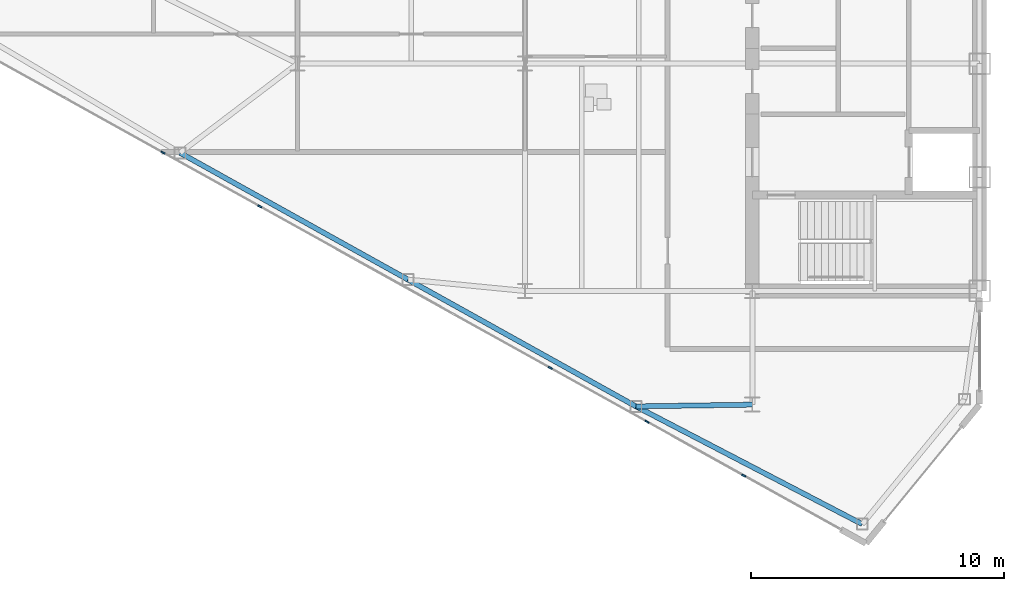
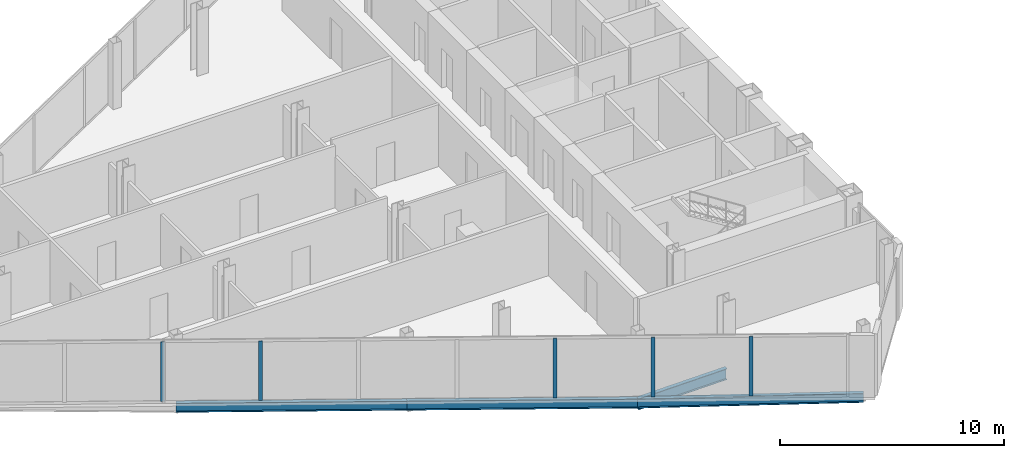
# One storey, part 3 of 26: 5 members, 4 beams, 1 element without a shape of its own.
"""IFC4 building model written with IfcOpenShell, lengths in metres."""

from ifc_helpers import new_model, si_unit, direction, frame, origin, origin_2d, place, context, subcontext, project, spatial, rectangle, i_section, extrude, source, transform, mapped, material, layer, layer_set, material_profile, profile_set, type_object, type_shapes, element, aggregate, save


model = new_model("IFC4")

# Units and contexts
model_context = context("Model", 3, precision=1e-05, world=origin(), true_north=direction((0.0, 1.0)))
body_context = subcontext(model_context, "Body", "Model", "MODEL_VIEW")
ifc_project = project(units=[si_unit("LENGTHUNIT", "METRE"), si_unit("AREAUNIT", "SQUARE_METRE"), si_unit("VOLUMEUNIT", "CUBIC_METRE"), si_unit("PLANEANGLEUNIT", "RADIAN"), si_unit("MASSUNIT", "GRAM", prefix="KILO")], contexts=[model_context])

# Site, building, storey
site_placement = place(None, origin())
site = spatial("IfcSite", under=ifc_project, at=site_placement, CompositionType="ELEMENT")
building_placement = place(site_placement, origin())
building = spatial("IfcBuilding", under=site, at=building_placement, Name="Seokmaru Belvedere", CompositionType="ELEMENT")
storey_placement = place(building_placement, frame((0.0, 0.0, 167.10009765625)))
storey = spatial("IfcBuildingStorey", under=building, at=storey_placement, Name="L44", CompositionType="ELEMENT", Elevation=167.10009765625)

# Beams
ifc_material_1 = material(Name="Steel SM355 (355 MPa)", Category="steel")
ifc_material_profile_1 = material_profile(ifc_material_1, i_section(OverallWidth=0.199951171875, OverallDepth=0.5, WebThickness=0.010009765625, FlangeThickness=0.01611328125, at=origin_2d()), Name="H-500x200x10x16")
ifc_profile_set_1 = profile_set([ifc_material_profile_1], Name="Steel SM355 (355 MPa)")
beam_type_1 = type_object("IfcBeamType", Name="Perimeter Spandrel Beam H-500", PredefinedType="SPANDREL", material=ifc_profile_set_1)
shared_shape_1 = source(origin(), body_context, "Body", "SweptSolid", [
    extrude(i_section(OverallWidth=0.199951171875, OverallDepth=0.5, WebThickness=0.010009765625, FlangeThickness=0.01611328125, at=origin_2d()), origin(), (0.0, 0.0, 1.0), 10.09716796875),
])
beam_1_placement = place(storey_placement, frame((-32.146728515625, -22.731689453125, -0.47021484375), z_axis=(-0.887085728914, 0.461604711369, 0.0), x_axis=(-0.461604711369, -0.887085728914, 0.0)))
element("IfcBeam", 1, at=beam_1_placement, inside=storey, type_object=beam_type_1, Name="L44 W Faceted Flank Spandrel S-1", PredefinedType="SPANDREL", context=body_context, shape_type="MappedRepresentation", body=[
    mapped(shared_shape_1, transform((0.0, 0.0, 0.0), scale=1.0)),
])
shared_shape_2 = source(origin(), body_context, "Body", "SweptSolid", [
    extrude(i_section(OverallWidth=0.199951171875, OverallDepth=0.5, WebThickness=0.010009765625, FlangeThickness=0.01611328125, at=origin_2d()), origin(), (0.0, 0.0, 1.0), 10.327392578125),
])
type_shapes(beam_type_1, [shared_shape_1, shared_shape_2])
for number, where, z_axis, x_axis, name in (
    (2, (-41.103759765625, -18.07080078125, -0.47021484375), (-0.873924120588, 0.486062374037, 0.0), (-0.486062374037, -0.873924120588, 0.0), "L44 W Faceted Flank Spandrel S-2"),
    (3, (-50.129150390625, -13.051025390625, -0.47021484375), (-0.873934162361, 0.48604431882, 0.0), (-0.48604431882, -0.873934162361, 0.0), "L44 W Faceted Flank Spandrel S-3"),
):
    element("IfcBeam", number, at=place(storey_placement, frame(where, z_axis=z_axis, x_axis=x_axis)), inside=storey, type_object=beam_type_1, Name=name, PredefinedType="SPANDREL", context=body_context, shape_type="MappedRepresentation", body=[
        mapped(shared_shape_2, transform((0.0, 0.0, 0.0), scale=1.0)),
    ])
ifc_material_profile_2 = material_profile(ifc_material_1, i_section(OverallWidth=0.199951171875, OverallDepth=0.60009765625, WebThickness=0.010986328125, FlangeThickness=0.01708984375, at=origin_2d()), Name="H-600x200x11x17")
ifc_profile_set_2 = profile_set([ifc_material_profile_2], Name="Steel SM355 (355 MPa)")
beam_type_2 = type_object("IfcBeamType", Name="Primary Floor Girder H-600", PredefinedType="BEAM", material=ifc_profile_set_2)
shared_shape_3 = source(origin(), body_context, "Body", "SweptSolid", [
    extrude(i_section(OverallWidth=0.199951171875, OverallDepth=0.60009765625, WebThickness=0.010986328125, FlangeThickness=0.01708984375, at=origin_2d()), origin(), (0.0, 0.0, 1.0), 4.604248046875),
])
type_shapes(beam_type_2, [shared_shape_3])
beam_2_placement = place(storey_placement, frame((-41.103759765625, -18.07080078125, -0.52001953125), z_axis=(0.999881765622, 0.01537708607, 0.0), x_axis=(-0.01537708607, 0.999881765622, 0.0)))
element("IfcBeam", 4, at=beam_2_placement, inside=storey, type_object=beam_type_2, Name="L44 W Flank Radial Floor Girder S-1", PredefinedType="BEAM", context=body_context, shape_type="MappedRepresentation", body=[
    mapped(shared_shape_3, transform((0.0, 0.0, 0.0), scale=1.0)),
])

# Curtain wall, members
ifc_material_2 = material(Name="Bronze Triple Insulating Glass", Category="glass")
ifc_layer = layer(ifc_material_2, 0.179931640625)
ifc_layer_set = layer_set([ifc_layer], Name="Bronze Triple Insulating Glass")
curtain_wall_type = type_object("IfcCurtainWallType", Name="High-Rise Wind-Corner Curtain Wall System CW-5", PredefinedType="NOTDEFINED", material=ifc_layer_set)
curtain_wall_placement = place(storey_placement, origin())
curtain_wall = element("IfcCurtainWall", 5, at=curtain_wall_placement, inside=storey, type_object=curtain_wall_type, Name="L44 Curtain Wall WF5", PredefinedType="NOTDEFINED")
ifc_material_3 = material(Name="Anodised Bronze Aluminium", Category="aluminium")
ifc_material_profile_3 = material_profile(ifc_material_3, rectangle(XDim=0.06494140625, YDim=0.179931640625, at=origin_2d()), Name="CW-M-65x180")
ifc_profile_set_3 = profile_set([ifc_material_profile_3], Name="Anodised Bronze Aluminium")
member_type = type_object("IfcMemberType", Name="Bronze Unitised Mullion 65x180", PredefinedType="MULLION", material=ifc_profile_set_3)
shared_shape_4 = source(origin(), body_context, "Body", "SweptSolid", [
    extrude(rectangle(XDim=0.06494140625, YDim=0.179931640625, at=origin_2d()), origin(), (0.0, 0.0, 1.0), 3.25),
])
type_shapes(member_type, [shared_shape_4])
member_1_placement = place(storey_placement, frame((-59.83056640625, -8.021728515625, 0.06494140625), z_axis=(0.0, 0.0, 1.0), x_axis=(0.486047125147, 0.873932601598, 0.0)))
member_1 = element("IfcMember", 6, at=member_1_placement, type_object=member_type, Name="CW:L44:WF5 Mullion 3", PredefinedType="MULLION", context=body_context, shape_type="MappedRepresentation", body=[
    mapped(shared_shape_4, transform((0.0, 0.0, 0.0), scale=1.0)),
])
member_2_placement = place(storey_placement, frame((-55.998291015625, -10.153076171875, 0.06494140625), z_axis=(0.0, 0.0, 1.0), x_axis=(0.486047125147, 0.873932601598, 0.0)))
member_2 = element("IfcMember", 7, at=member_2_placement, type_object=member_type, Name="CW:L44:WF5 Mullion 4", PredefinedType="MULLION", context=body_context, shape_type="MappedRepresentation", body=[
    mapped(shared_shape_4, transform((0.0, 0.0, 0.0), scale=1.0)),
])
member_3_placement = place(storey_placement, frame((-44.501708984375, -16.547119140625, 0.06494140625), z_axis=(0.0, 0.0, 1.0), x_axis=(0.486047125147, 0.873932601598, 0.0)))
member_3 = element("IfcMember", 8, at=member_3_placement, type_object=member_type, Name="CW:L44:WF5 Mullion 7", PredefinedType="MULLION", context=body_context, shape_type="MappedRepresentation", body=[
    mapped(shared_shape_4, transform((0.0, 0.0, 0.0), scale=1.0)),
])
member_4_placement = place(storey_placement, frame((-40.66943359375, -18.67822265625, 0.06494140625), z_axis=(0.0, 0.0, 1.0), x_axis=(0.486047125147, 0.873932601598, 0.0)))
member_4 = element("IfcMember", 9, at=member_4_placement, type_object=member_type, Name="CW:L44:WF5 Mullion 8", PredefinedType="MULLION", context=body_context, shape_type="MappedRepresentation", body=[
    mapped(shared_shape_4, transform((0.0, 0.0, 0.0), scale=1.0)),
])
member_5_placement = place(storey_placement, frame((-36.837158203125, -20.809814453125, 0.06494140625), z_axis=(0.0, 0.0, 1.0), x_axis=(0.486047125147, 0.873932601598, 0.0)))
member_5 = element("IfcMember", 10, at=member_5_placement, type_object=member_type, Name="CW:L44:WF5 Mullion 9", PredefinedType="MULLION", context=body_context, shape_type="MappedRepresentation", body=[
    mapped(shared_shape_4, transform((0.0, 0.0, 0.0), scale=1.0)),
])
aggregate(curtain_wall, [member_1, member_2, member_3, member_4, member_5])

save(model, "model.ifc")
